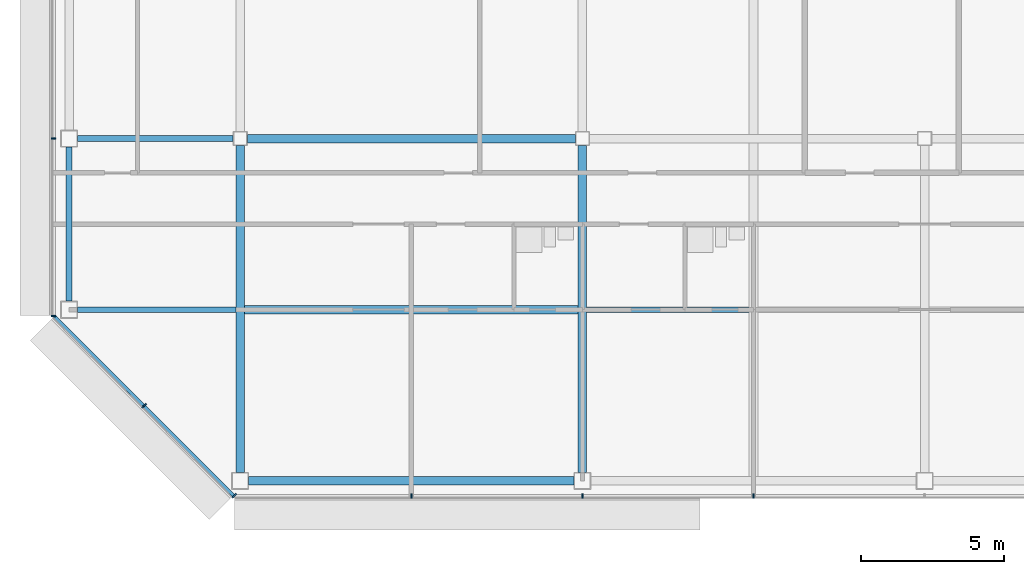
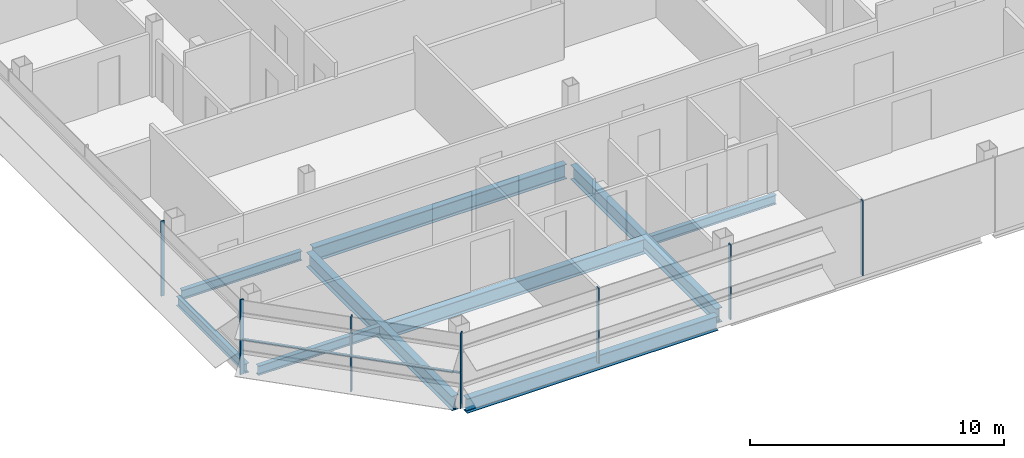
# One storey, part 3 of 27: 9 beams, 8 members, 3 elements without a shape of their own.
"""IFC4 building model written with IfcOpenShell, lengths in metres."""

import ifcopenshell
import ifcopenshell.guid

model = None  # the IFC model being written
_history = None  # IfcOwnerHistory: only IFC2X3 demands one
_inside = {}  # id of a spatial element -> (the spatial element, [elements in it])
_under = {}  # id of a project, library or spatial element -> (it, [spatial elements below it])
_declared = {}  # id of a project -> (the project, [libraries it declares])
_typed = {}  # id of a type object -> (the type object, [elements of that type])
_made_of = {}  # id of a material, layer set ... -> (it, [elements and type objects made of it])


def new_model(schema):
    """Start an empty IFC model of exactly this schema.

    Asked for "IFC4X3", IfcOpenShell would pick the latest addendum, in which some entities
    have other attributes; the version numbers below select the first issue.
    IFC2X3 requires an IfcOwnerHistory on every rooted entity: one is made here for all.
    """
    global model, _history
    if schema == "IFC4X3":
        model = ifcopenshell.file(schema_version=(4, 3, 0, 0))
    else:
        model = ifcopenshell.file(schema=schema)
    _inside.clear()
    _under.clear()
    _declared.clear()
    _typed.clear()
    _made_of.clear()
    _history = None
    if model.schema == "IFC2X3":
        org = make("IfcOrganization", Name="unknown")
        user = make(
            "IfcPersonAndOrganization",
            ThePerson=make("IfcPerson", FamilyName="unknown"),
            TheOrganization=org,
        )
        app = make(
            "IfcApplication",
            ApplicationDeveloper=org,
            Version="unknown",
            ApplicationFullName="unknown",
            ApplicationIdentifier="unknown",
        )
        _history = make(
            "IfcOwnerHistory",
            OwningUser=user,
            OwningApplication=app,
            ChangeAction="ADDED",
            CreationDate=0,
        )
    return model


def make(cls, **values):
    """One entity of the class cls with the attributes given. An attribute that is None is left unset."""
    return model.create_entity(
        cls, **{name: value for name, value in values.items() if value is not None}
    )


def rooted(cls, **values):
    """An entity with a GlobalId (a new one), such as an element, a storey or a relation."""
    return make(cls, GlobalId=ifcopenshell.guid.new(), OwnerHistory=_history, **values)


def si_unit(unit_type, name, prefix=None):
    """IfcSIUnit, for example si_unit("LENGTHUNIT", "METRE", prefix="MILLI")."""
    return make("IfcSIUnit", UnitType=unit_type, Prefix=prefix, Name=name)


def assignment(units):
    """IfcUnitAssignment: the units of a project."""
    return None if units is None else make("IfcUnitAssignment", Units=units)


def point(xyz):
    """IfcCartesianPoint."""
    return None if xyz is None else make("IfcCartesianPoint", Coordinates=xyz)


def direction(xyz):
    """IfcDirection."""
    return None if xyz is None else make("IfcDirection", DirectionRatios=xyz)


def frame(location, z_axis=None, x_axis=None):
    """IfcAxis2Placement3D, a coordinate frame: its origin and axes. An axis left out is left unset."""
    return make(
        "IfcAxis2Placement3D",
        Location=point(location),
        Axis=direction(z_axis),
        RefDirection=direction(x_axis),
    )


def frame_2d(location, x_axis=None):
    """IfcAxis2Placement2D, a coordinate frame in the plane: its origin and x axis."""
    return make(
        "IfcAxis2Placement2D", Location=point(location), RefDirection=direction(x_axis)
    )


def origin():
    """The frame at (0, 0, 0) with its axes left unset."""
    return frame((0.0, 0.0, 0.0))


def origin_2d():
    """The frame at (0, 0) in the plane with its x axis left unset."""
    return frame_2d((0.0, 0.0))


def place(relative_to, where):
    """IfcLocalPlacement: puts the frame where relative to a parent placement (None: the world)."""
    return make(
        "IfcLocalPlacement", PlacementRelTo=relative_to, RelativePlacement=where
    )


def context(
    kind, dimensions, precision=None, world=None, true_north=None, identifier=None
):
    """IfcGeometricRepresentationContext, for example the 3D "Model" context."""
    return make(
        "IfcGeometricRepresentationContext",
        ContextIdentifier=identifier,
        ContextType=kind,
        CoordinateSpaceDimension=dimensions,
        Precision=precision,
        WorldCoordinateSystem=world,
        TrueNorth=true_north,
    )


def subcontext(parent, identifier, kind, view, scale=None):
    """IfcGeometricRepresentationSubContext, for example "Body" below "Model"."""
    return make(
        "IfcGeometricRepresentationSubContext",
        ContextIdentifier=identifier,
        ContextType=kind,
        ParentContext=parent,
        TargetScale=scale,
        TargetView=view,
    )


def project(units=None, contexts=None):
    """IfcProject with its units and contexts."""
    return rooted(
        "IfcProject",
        Name="project",
        RepresentationContexts=contexts,
        UnitsInContext=assignment(units),
    )


def spatial(cls, under=None, at=None, **own):
    """A site, building, storey or space (cls), placed at a placement, below another one or the project."""
    s = rooted(cls, ObjectPlacement=at, **own)
    if under is not None:
        _under.setdefault(under.id(), (under, []))[1].append(s)
    return s


def profile(cls, at=None, kind="AREA", **sizes):
    """A parametric profile (cls). Its sizes go by their IFC names, for example OverallWidth=200.0."""
    return make(cls, ProfileType=kind, Position=at, **sizes)


def rectangle(**sizes):
    """IfcRectangleProfileDef."""
    return profile("IfcRectangleProfileDef", **sizes)


def i_section(**sizes):
    """IfcIShapeProfileDef."""
    return profile("IfcIShapeProfileDef", **sizes)


def extrude(swept, where, along, depth):
    """IfcExtrudedAreaSolid: the profile swept, set in the frame where, extruded along a direction by depth."""
    return make(
        "IfcExtrudedAreaSolid",
        SweptArea=swept,
        Position=where,
        ExtrudedDirection=direction(along),
        Depth=depth,
    )


def shape(context_of_items, identifier, shape_type, items):
    """IfcShapeRepresentation: the items that make up one representation, for example the "Body"."""
    return make(
        "IfcShapeRepresentation",
        ContextOfItems=context_of_items,
        RepresentationIdentifier=identifier,
        RepresentationType=shape_type,
        Items=items,
    )


def material(Name=None, Category=None):
    """IfcMaterial."""
    return make("IfcMaterial", Name=Name, Category=Category)


def material_profile(
    of_material, cross_section, Name=None, Category=None, Priority=None
):
    """IfcMaterialProfile: a cross section and its material."""
    return make(
        "IfcMaterialProfile",
        Name=Name,
        Material=of_material,
        Profile=cross_section,
        Priority=Priority,
        Category=Category,
    )


def profile_set(profiles, Name=None, composite=None):
    """IfcMaterialProfileSet."""
    return make(
        "IfcMaterialProfileSet",
        Name=Name,
        MaterialProfiles=profiles,
        CompositeProfile=composite,
    )


def made_of(thing, what):
    """Note that an element or type object is made of a material, layer set ...; save() writes the relation."""
    if what is not None:
        _made_of.setdefault(what.id(), (what, []))[1].append(thing)
    return thing


def type_object(cls, material=None, **own):
    """A type object (cls), such as IfcWallType, which elements share."""
    return made_of(rooted(cls, **own), material)


def element(
    cls,
    number,
    at=None,
    inside=None,
    cuts=None,
    type_object=None,
    material=None,
    context=None,
    identifier="Body",
    shape_type=None,
    held_by="IfcProductDefinitionShape",
    body=None,
    shapes=None,
    **own,
):
    """One element of the class cls, such as IfcWall. Its Tag is "e" and its number.

    at: its placement. inside: the storey or other place that contains it. cuts: it is an
    opening in that element (IfcRelVoidsElement). A single representation is given by context,
    identifier, shape_type and body (its items); several are given by shapes. held_by: the class
    of the entity that holds the representations. save() writes the other relations.
    """
    e = rooted(cls, Tag="e%d" % number, ObjectPlacement=at, **own)
    if body is not None:
        shapes = [shape(context, identifier, shape_type, body)]
    if shapes is not None:
        e.Representation = make(held_by, Representations=shapes)
    if inside is not None:
        _inside.setdefault(inside.id(), (inside, []))[1].append(e)
    if cuts is not None:
        rooted(
            "IfcRelVoidsElement", RelatingBuildingElement=cuts, RelatedOpeningElement=e
        )
    if type_object is not None:
        _typed.setdefault(type_object.id(), (type_object, []))[1].append(e)
    return made_of(e, material)


def aggregate(whole, parts):
    """IfcRelAggregates: a whole, such as a stair, and the parts it consists of."""
    return rooted("IfcRelAggregates", RelatingObject=whole, RelatedObjects=parts)


def save(model, path):
    """Write the relations noted so far, then the file.

    IfcRelAggregates (storeys below a building ...), IfcRelContainedInSpatialStructure (elements
    in a storey), IfcRelDefinesByType, IfcRelAssociatesMaterial and IfcRelDeclares: one each for
    every whole, place, type object, material and project.
    """
    for whole, parts in _under.values():
        aggregate(whole, parts)
    for where, things in _inside.values():
        rooted(
            "IfcRelContainedInSpatialStructure",
            RelatedElements=things,
            RelatingStructure=where,
        )
    for kind, things in _typed.values():
        rooted("IfcRelDefinesByType", RelatedObjects=things, RelatingType=kind)
    for what, things in _made_of.values():
        rooted("IfcRelAssociatesMaterial", RelatedObjects=things, RelatingMaterial=what)
    for by, libraries in _declared.values():
        rooted("IfcRelDeclares", RelatingContext=by, RelatedDefinitions=libraries)
    model.write(path)


model = new_model("IFC4")

# Units and contexts
model_context = context("Model", 3, precision=1e-05, world=origin(), true_north=direction((0.0, 1.0)))
body_context = subcontext(model_context, "Body", "Model", "MODEL_VIEW")
ifc_project = project(units=[si_unit("LENGTHUNIT", "METRE"), si_unit("AREAUNIT", "SQUARE_METRE"), si_unit("VOLUMEUNIT", "CUBIC_METRE"), si_unit("PLANEANGLEUNIT", "RADIAN"), si_unit("MASSUNIT", "GRAM", prefix="KILO")], contexts=[model_context])

# Site, building, storey
site_placement = place(None, origin())
site = spatial("IfcSite", under=ifc_project, at=site_placement, CompositionType="ELEMENT")
building_placement = place(site_placement, origin())
building = spatial("IfcBuilding", under=site, at=building_placement, Name="Sorahane Residences", CompositionType="ELEMENT")
storey_placement = place(building_placement, frame((0.0, 0.0, 294.39990234375)))
storey = spatial("IfcBuildingStorey", under=building, at=storey_placement, Name="L69", CompositionType="ELEMENT", Elevation=294.39990234375)

# Curtain wall, members
ifc_material_1 = material(Name="Dark low-e glass and black anodised aluminium", Category="aluminium")
curtain_wall_type_1 = type_object("IfcCurtainWallType", Name="Curtain wall CW-1 Typical unitised wall", PredefinedType="NOTDEFINED", material=ifc_material_1)
curtain_wall_1_placement = place(storey_placement, origin())
curtain_wall_1 = element("IfcCurtainWall", 1, at=curtain_wall_1_placement, inside=storey, type_object=curtain_wall_type_1, Name="CW-1 curtain wall L69 S1", PredefinedType="NOTDEFINED")
ifc_material_2 = material(Name="Black anodised aluminium", Category="aluminium")
ifc_material_profile_1 = material_profile(ifc_material_2, rectangle(XDim=0.159912109375, YDim=0.050048828125, at=origin_2d()), Name="Curtain wall mullion CW-1 black anodised aluminium 50x160")
ifc_profile_set_1 = profile_set([ifc_material_profile_1], Name="Black anodised aluminium")
member_type_1 = type_object("IfcMemberType", Name="Curtain wall mullion CW-1 black anodised aluminium 50x160", PredefinedType="MULLION", material=ifc_profile_set_1)
member_1_placement = place(storey_placement, frame((-6.0, -0.5400390625, -0.179931640625), z_axis=(0.0, 0.0, 1.0), x_axis=(0.0, -1.0, 0.0)))
member_1 = element("IfcMember", 2, at=member_1_placement, type_object=member_type_1, Name="CW-1 mullion L69 S1.2", PredefinedType="MULLION", context=body_context, shape_type="SweptSolid", body=[
    extrude(rectangle(XDim=0.159912109375, YDim=0.050048828125, at=origin_2d()), origin(), (0.0, 0.0, 1.0), 3.60009765625),
])
member_2_placement = place(storey_placement, frame((0.0, -0.5400390625, -0.179931640625), z_axis=(0.0, 0.0, 1.0), x_axis=(0.0, -1.0, 0.0)))
member_2 = element("IfcMember", 3, at=member_2_placement, type_object=member_type_1, Name="CW-1 mullion L69 S1.3", PredefinedType="MULLION", context=body_context, shape_type="SweptSolid", body=[
    extrude(rectangle(XDim=0.159912109375, YDim=0.050048828125, at=origin_2d()), origin(), (0.0, 0.0, 1.0), 3.60009765625),
])
member_3_placement = place(storey_placement, frame((6.0, -0.5400390625, -0.179931640625), z_axis=(0.0, 0.0, 1.0), x_axis=(0.0, -1.0, 0.0)))
member_3 = element("IfcMember", 4, at=member_3_placement, type_object=member_type_1, Name="CW-1 mullion L69 S1.4", PredefinedType="MULLION", context=body_context, shape_type="SweptSolid", body=[
    extrude(rectangle(XDim=0.159912109375, YDim=0.050048828125, at=origin_2d()), origin(), (0.0, 0.0, 1.0), 3.60009765625),
])
aggregate(curtain_wall_1, [member_1, member_2, member_3])

curtain_wall_2_placement = place(storey_placement, origin())
curtain_wall_2 = element("IfcCurtainWall", 5, at=curtain_wall_2_placement, inside=storey, type_object=curtain_wall_type_1, Name="CW-1 curtain wall L69 W1", PredefinedType="NOTDEFINED")
member_4_placement = place(storey_placement, frame((-18.5400390625, 12.0, -0.179931640625), z_axis=(0.0, 0.0, 1.0), x_axis=(-1.0, 0.0, 0.0)))
member_4 = element("IfcMember", 6, at=member_4_placement, type_object=member_type_1, Name="CW-1 mullion L69 W1.6", PredefinedType="MULLION", context=body_context, shape_type="SweptSolid", body=[
    extrude(rectangle(XDim=0.159912109375, YDim=0.050048828125, at=origin_2d()), origin(), (0.0, 0.0, 1.0), 3.60009765625),
])
member_5_placement = place(storey_placement, frame((-18.5400390625, 5.7763671875, -0.179931640625), z_axis=(0.0, 0.0, 1.0), x_axis=(-1.0, 0.0, 0.0)))
member_5 = element("IfcMember", 7, at=member_5_placement, type_object=member_type_1, Name="CW-1 mullion L69 W1.7", PredefinedType="MULLION", context=body_context, shape_type="SweptSolid", body=[
    extrude(rectangle(XDim=0.159912109375, YDim=0.050048828125, at=origin_2d()), origin(), (0.0, 0.0, 1.0), 3.60009765625),
])
aggregate(curtain_wall_2, [member_4, member_5])

ifc_material_3 = material(Name="Dark low-e glass and black anodised aluminium", Category="aluminium")
curtain_wall_type_2 = type_object("IfcCurtainWallType", Name="Curtain wall CW-2 Chamfer unitised wall", PredefinedType="NOTDEFINED", material=ifc_material_3)
curtain_wall_3_placement = place(storey_placement, origin())
curtain_wall_3 = element("IfcCurtainWall", 8, at=curtain_wall_3_placement, inside=storey, type_object=curtain_wall_type_2, Name="CW-2 curtain wall L69 SW1", PredefinedType="NOTDEFINED")
ifc_material_4 = material(Name="Black anodised aluminium", Category="aluminium")
ifc_material_profile_2 = material_profile(ifc_material_4, rectangle(XDim=0.199951171875, YDim=0.050048828125, at=origin_2d()), Name="Curtain wall mullion CW-2 black anodised aluminium 50x200")
ifc_profile_set_2 = profile_set([ifc_material_profile_2], Name="Black anodised aluminium")
member_type_2 = type_object("IfcMemberType", Name="Curtain wall mullion CW-2 black anodised aluminium 50x200", PredefinedType="MULLION", material=ifc_profile_set_2)
member_6_placement = place(storey_placement, frame((-15.36767578125, 2.63232421875, -0.179931640625), z_axis=(0.0, 0.0, 1.0), x_axis=(-0.707106781187, -0.707106781187, 0.0)))
member_6 = element("IfcMember", 9, at=member_6_placement, type_object=member_type_2, Name="CW-2 mullion L69 SW1.2", PredefinedType="MULLION", context=body_context, shape_type="SweptSolid", body=[
    extrude(rectangle(XDim=0.199951171875, YDim=0.050048828125, at=origin_2d()), origin(), (0.0, 0.0, 1.0), 3.60009765625),
])
member_7_placement = place(storey_placement, frame((-12.209716796875, -0.525634765625, -0.179931640625), z_axis=(0.0, 0.0, 1.0), x_axis=(-0.707106781187, -0.707106781187, 0.0)))
member_7 = element("IfcMember", 10, at=member_7_placement, type_object=member_type_2, Name="CW-2 mullion L69 SW1.3", PredefinedType="MULLION", context=body_context, shape_type="SweptSolid", body=[
    extrude(rectangle(XDim=0.199951171875, YDim=0.050048828125, at=origin_2d()), origin(), (0.0, 0.0, 1.0), 3.60009765625),
])
ifc_material_5 = material(Name="Black anodised aluminium", Category="aluminium")
ifc_material_profile_3 = material_profile(ifc_material_5, rectangle(XDim=0.10009765625, YDim=0.06005859375, at=origin_2d()), Name="Curtain wall transom CW-2 black anodised aluminium 60x100")
ifc_profile_set_3 = profile_set([ifc_material_profile_3], Name="Black anodised aluminium")
member_type_3 = type_object("IfcMemberType", Name="Curtain wall transom CW-2 black anodised aluminium 60x100", PredefinedType="USERDEFINED", material=ifc_profile_set_3)
member_8_placement = place(storey_placement, frame((-18.51513671875, 5.765625, 1.5), z_axis=(0.707106781187, -0.707106781187, 0.0), x_axis=(0.707106781187, 0.707106781187, 0.0)))
member_8 = element("IfcMember", 11, at=member_8_placement, type_object=member_type_3, Name="CW-2 transom L69 SW1", ObjectType="TRANSOM", PredefinedType="USERDEFINED", context=body_context, shape_type="SweptSolid", body=[
    extrude(rectangle(XDim=0.10009765625, YDim=0.06005859375, at=origin_2d()), origin(), (0.0, 0.0, 1.0), 8.88232421875),
])
aggregate(curtain_wall_3, [member_6, member_7, member_8])

# Beams
ifc_material_6 = material(Name="Steel Q355B", Category="steel")
ifc_material_profile_4 = material_profile(ifc_material_6, i_section(OverallWidth=0.199951171875, OverallDepth=0.449951171875, WebThickness=0.009033203125, FlangeThickness=0.013916015625, FilletRadius=0.02001953125, at=origin_2d()), Name="HN 450x200x9x14")
ifc_profile_set_4 = profile_set([ifc_material_profile_4], Name="Steel Q355B")
beam_type_1 = type_object("IfcBeamType", Name="Steel floor beam HN 450x200x9x14 Q355B", PredefinedType="BEAM", material=ifc_profile_set_4)
beam_1_placement = place(storey_placement, frame((-17.699951171875, 12.0, -0.40478515625), z_axis=(1.0, 0.0, 0.0), x_axis=(0.0, 1.0, 0.0)))
element("IfcBeam", 12, at=beam_1_placement, inside=storey, type_object=beam_type_1, Name="Beam L69 005", PredefinedType="BEAM", context=body_context, shape_type="SweptSolid", body=[
    extrude(i_section(OverallWidth=0.199951171875, OverallDepth=0.449951171875, WebThickness=0.009033203125, FlangeThickness=0.013916015625, FilletRadius=0.02001953125, at=origin_2d()), origin(), (0.0, 0.0, 1.0), 5.449951171875),
])
beam_2_placement = place(storey_placement, frame((-18.0, 6.300048828125, -0.40478515625), z_axis=(0.0, 1.0, 0.0), x_axis=(-1.0, 0.0, 0.0)))
element("IfcBeam", 13, at=beam_2_placement, inside=storey, type_object=beam_type_1, Name="Beam L69 020", PredefinedType="BEAM", context=body_context, shape_type="SweptSolid", body=[
    extrude(i_section(OverallWidth=0.199951171875, OverallDepth=0.449951171875, WebThickness=0.009033203125, FlangeThickness=0.013916015625, FilletRadius=0.02001953125, at=origin_2d()), origin(), (0.0, 0.0, 1.0), 5.39990234375),
])
beam_3_placement = place(storey_placement, frame((-17.699951171875, 6.0, -0.40478515625), z_axis=(1.0, 0.0, 0.0), x_axis=(0.0, 1.0, 0.0)))
element("IfcBeam", 14, at=beam_3_placement, inside=storey, type_object=beam_type_1, Name="Beam L69 066", PredefinedType="BEAM", context=body_context, shape_type="SweptSolid", body=[
    extrude(i_section(OverallWidth=0.199951171875, OverallDepth=0.449951171875, WebThickness=0.009033203125, FlangeThickness=0.013916015625, FilletRadius=0.02001953125, at=origin_2d()), origin(), (0.0, 0.0, 1.0), 5.550048828125),
])
beam_4_placement = place(storey_placement, frame((0.14990234375, 6.0, -0.40478515625), z_axis=(1.0, 0.0, 0.0), x_axis=(0.0, 1.0, 0.0)))
element("IfcBeam", 15, at=beam_4_placement, inside=storey, type_object=beam_type_1, Name="Beam L69 068", PredefinedType="BEAM", context=body_context, shape_type="SweptSolid", body=[
    extrude(i_section(OverallWidth=0.199951171875, OverallDepth=0.449951171875, WebThickness=0.009033203125, FlangeThickness=0.013916015625, FilletRadius=0.02001953125, at=origin_2d()), origin(), (0.0, 0.0, 1.0), 5.7001953125),
])
ifc_material_7 = material(Name="Steel Q355B", Category="steel")
ifc_material_profile_5 = material_profile(ifc_material_7, i_section(OverallWidth=0.300048828125, OverallDepth=0.699951171875, WebThickness=0.012939453125, FlangeThickness=0.02392578125, FilletRadius=0.028076171875, at=origin_2d()), Name="HN 700x300x13x24")
ifc_profile_set_5 = profile_set([ifc_material_profile_5], Name="Steel Q355B")
beam_type_2 = type_object("IfcBeamType", Name="Steel floor beam HN 700x300x13x24 Q355B", PredefinedType="BEAM", material=ifc_profile_set_5)
beam_5_placement = place(storey_placement, frame((-11.699951171875, 0.0, -0.52978515625), z_axis=(1.0, 0.0, 0.0), x_axis=(0.0, 1.0, 0.0)))
element("IfcBeam", 16, at=beam_5_placement, inside=storey, type_object=beam_type_2, Name="Beam L69 000", PredefinedType="BEAM", context=body_context, shape_type="SweptSolid", body=[
    extrude(i_section(OverallWidth=0.300048828125, OverallDepth=0.699951171875, WebThickness=0.012939453125, FlangeThickness=0.02392578125, FilletRadius=0.028076171875, at=origin_2d()), origin(), (0.0, 0.0, 1.0), 11.39990234375),
])
beam_6_placement = place(storey_placement, frame((-11.75, 12.0, -0.52978515625), z_axis=(1.0, 0.0, 0.0), x_axis=(0.0, 1.0, 0.0)))
element("IfcBeam", 17, at=beam_6_placement, inside=storey, type_object=beam_type_2, Name="Beam L69 006", PredefinedType="BEAM", context=body_context, shape_type="SweptSolid", body=[
    extrude(i_section(OverallWidth=0.300048828125, OverallDepth=0.699951171875, WebThickness=0.012939453125, FlangeThickness=0.02392578125, FilletRadius=0.028076171875, at=origin_2d()), origin(), (0.0, 0.0, 1.0), 11.5),
])
for number, where, z_axis, x_axis, name in (
    (18, (-12.0, 0.300048828125, -0.52978515625), (0.0, 1.0, 0.0), (-1.0, 0.0, 0.0), "Beam L69 024"),
    (19, (0.0, 0.300048828125, -0.52978515625), (0.0, 1.0, 0.0), (-1.0, 0.0, 0.0), "Beam L69 028"),
):
    element("IfcBeam", number, at=place(storey_placement, frame(where, z_axis=z_axis, x_axis=x_axis)), inside=storey, type_object=beam_type_2, Name=name, PredefinedType="BEAM", context=body_context, shape_type="SweptSolid", body=[
        extrude(i_section(OverallWidth=0.300048828125, OverallDepth=0.699951171875, WebThickness=0.012939453125, FlangeThickness=0.02392578125, FilletRadius=0.028076171875, at=origin_2d()), origin(), (0.0, 0.0, 1.0), 11.449951171875),
    ])
beam_7_placement = place(storey_placement, frame((-11.85009765625, 6.0, -0.52978515625), z_axis=(1.0, 0.0, 0.0), x_axis=(0.0, 1.0, 0.0)))
element("IfcBeam", 20, at=beam_7_placement, inside=storey, type_object=beam_type_2, Name="Beam L69 067", PredefinedType="BEAM", context=body_context, shape_type="SweptSolid", body=[
    extrude(i_section(OverallWidth=0.300048828125, OverallDepth=0.699951171875, WebThickness=0.012939453125, FlangeThickness=0.02392578125, FilletRadius=0.028076171875, at=origin_2d()), origin(), (0.0, 0.0, 1.0), 11.7001953125),
])

save(model, "model.ifc")
